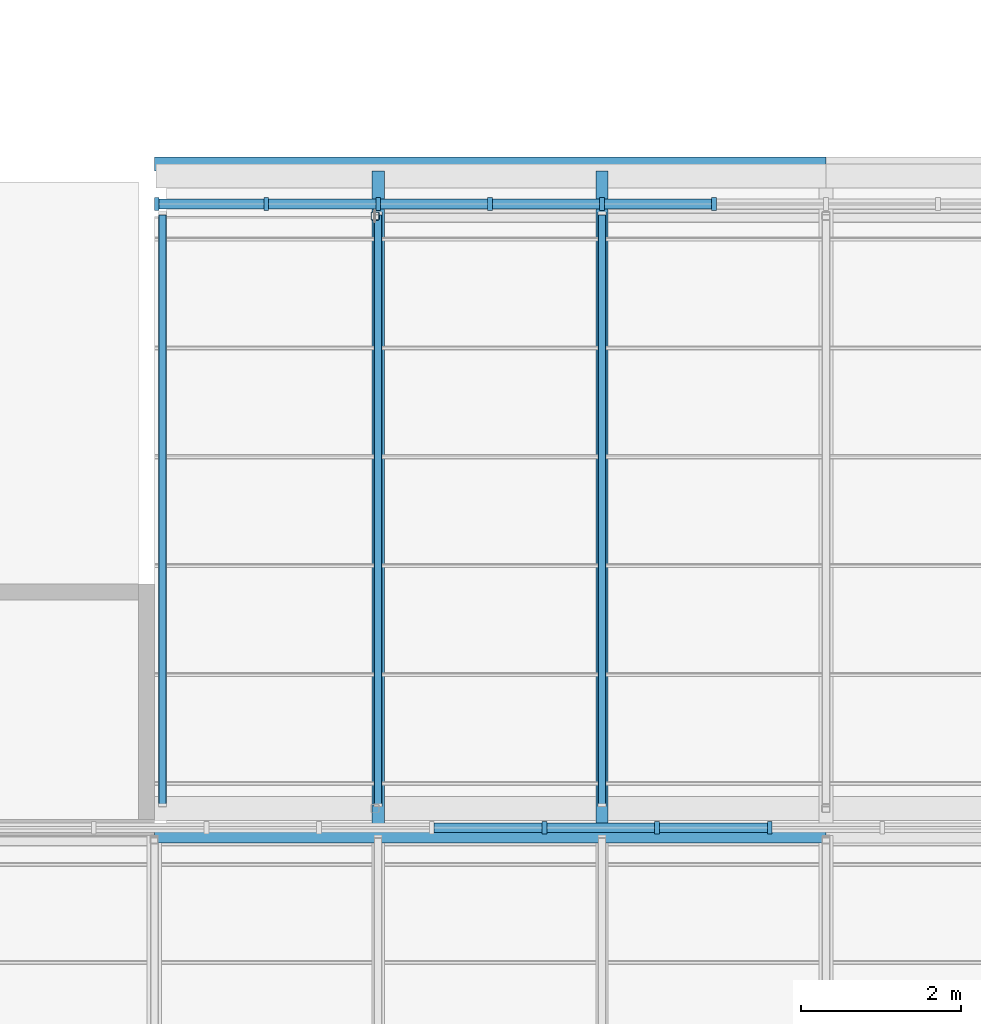
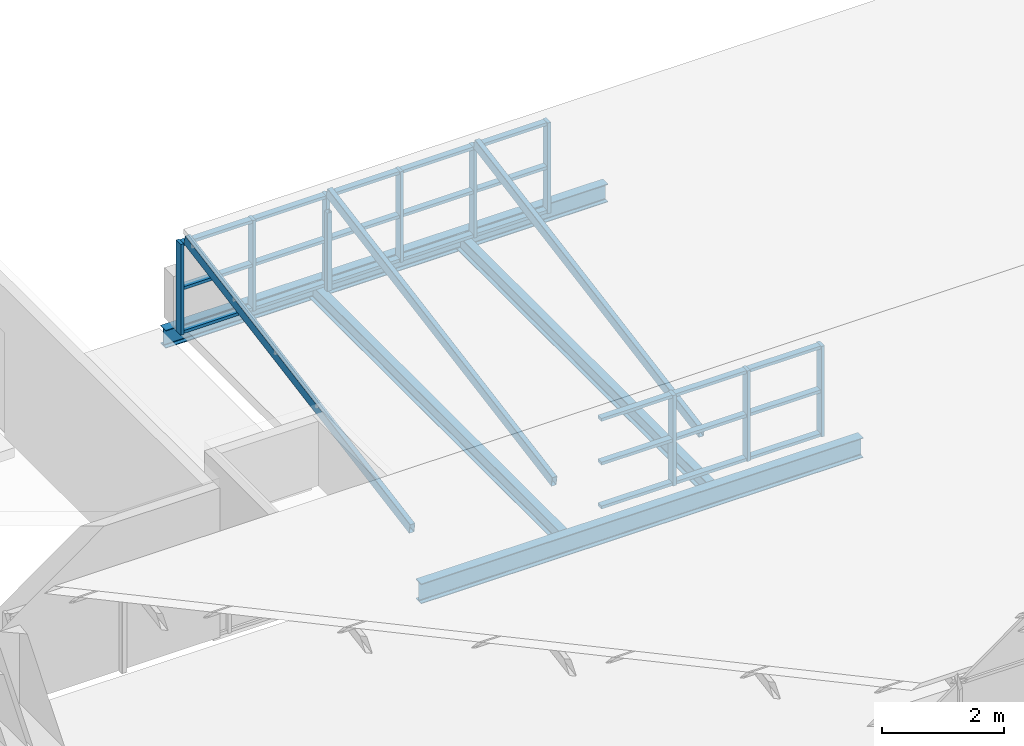
# One storey, part 9 of 42: 37 members, 4 beams, 2 elements without a shape of their own.
"""IFC4 building model written with IfcOpenShell, lengths in metres."""

import ifcopenshell
import ifcopenshell.guid

model = None  # the IFC model being written
_history = None  # IfcOwnerHistory: only IFC2X3 demands one
_inside = {}  # id of a spatial element -> (the spatial element, [elements in it])
_under = {}  # id of a project, library or spatial element -> (it, [spatial elements below it])
_declared = {}  # id of a project -> (the project, [libraries it declares])
_typed = {}  # id of a type object -> (the type object, [elements of that type])
_made_of = {}  # id of a material, layer set ... -> (it, [elements and type objects made of it])


def new_model(schema):
    """Start an empty IFC model of exactly this schema.

    Asked for "IFC4X3", IfcOpenShell would pick the latest addendum, in which some entities
    have other attributes; the version numbers below select the first issue.
    IFC2X3 requires an IfcOwnerHistory on every rooted entity: one is made here for all.
    """
    global model, _history
    if schema == "IFC4X3":
        model = ifcopenshell.file(schema_version=(4, 3, 0, 0))
    else:
        model = ifcopenshell.file(schema=schema)
    _inside.clear()
    _under.clear()
    _declared.clear()
    _typed.clear()
    _made_of.clear()
    _history = None
    if model.schema == "IFC2X3":
        org = make("IfcOrganization", Name="unknown")
        user = make(
            "IfcPersonAndOrganization",
            ThePerson=make("IfcPerson", FamilyName="unknown"),
            TheOrganization=org,
        )
        app = make(
            "IfcApplication",
            ApplicationDeveloper=org,
            Version="unknown",
            ApplicationFullName="unknown",
            ApplicationIdentifier="unknown",
        )
        _history = make(
            "IfcOwnerHistory",
            OwningUser=user,
            OwningApplication=app,
            ChangeAction="ADDED",
            CreationDate=0,
        )
    return model


def make(cls, **values):
    """One entity of the class cls with the attributes given. An attribute that is None is left unset."""
    return model.create_entity(
        cls, **{name: value for name, value in values.items() if value is not None}
    )


def rooted(cls, **values):
    """An entity with a GlobalId (a new one), such as an element, a storey or a relation."""
    return make(cls, GlobalId=ifcopenshell.guid.new(), OwnerHistory=_history, **values)


def si_unit(unit_type, name, prefix=None):
    """IfcSIUnit, for example si_unit("LENGTHUNIT", "METRE", prefix="MILLI")."""
    return make("IfcSIUnit", UnitType=unit_type, Prefix=prefix, Name=name)


def assignment(units):
    """IfcUnitAssignment: the units of a project."""
    return None if units is None else make("IfcUnitAssignment", Units=units)


def point(xyz):
    """IfcCartesianPoint."""
    return None if xyz is None else make("IfcCartesianPoint", Coordinates=xyz)


def direction(xyz):
    """IfcDirection."""
    return None if xyz is None else make("IfcDirection", DirectionRatios=xyz)


def frame(location, z_axis=None, x_axis=None):
    """IfcAxis2Placement3D, a coordinate frame: its origin and axes. An axis left out is left unset."""
    return make(
        "IfcAxis2Placement3D",
        Location=point(location),
        Axis=direction(z_axis),
        RefDirection=direction(x_axis),
    )


def frame_2d(location, x_axis=None):
    """IfcAxis2Placement2D, a coordinate frame in the plane: its origin and x axis."""
    return make(
        "IfcAxis2Placement2D", Location=point(location), RefDirection=direction(x_axis)
    )


def origin():
    """The frame at (0, 0, 0) with its axes left unset."""
    return frame((0.0, 0.0, 0.0))


def origin_2d():
    """The frame at (0, 0) in the plane with its x axis left unset."""
    return frame_2d((0.0, 0.0))


def place(relative_to, where):
    """IfcLocalPlacement: puts the frame where relative to a parent placement (None: the world)."""
    return make(
        "IfcLocalPlacement", PlacementRelTo=relative_to, RelativePlacement=where
    )


def context(
    kind, dimensions, precision=None, world=None, true_north=None, identifier=None
):
    """IfcGeometricRepresentationContext, for example the 3D "Model" context."""
    return make(
        "IfcGeometricRepresentationContext",
        ContextIdentifier=identifier,
        ContextType=kind,
        CoordinateSpaceDimension=dimensions,
        Precision=precision,
        WorldCoordinateSystem=world,
        TrueNorth=true_north,
    )


def subcontext(parent, identifier, kind, view, scale=None):
    """IfcGeometricRepresentationSubContext, for example "Body" below "Model"."""
    return make(
        "IfcGeometricRepresentationSubContext",
        ContextIdentifier=identifier,
        ContextType=kind,
        ParentContext=parent,
        TargetScale=scale,
        TargetView=view,
    )


def project(units=None, contexts=None):
    """IfcProject with its units and contexts."""
    return rooted(
        "IfcProject",
        Name="project",
        RepresentationContexts=contexts,
        UnitsInContext=assignment(units),
    )


def spatial(cls, under=None, at=None, **own):
    """A site, building, storey or space (cls), placed at a placement, below another one or the project."""
    s = rooted(cls, ObjectPlacement=at, **own)
    if under is not None:
        _under.setdefault(under.id(), (under, []))[1].append(s)
    return s


def profile(cls, at=None, kind="AREA", **sizes):
    """A parametric profile (cls). Its sizes go by their IFC names, for example OverallWidth=200.0."""
    return make(cls, ProfileType=kind, Position=at, **sizes)


def rectangle(**sizes):
    """IfcRectangleProfileDef."""
    return profile("IfcRectangleProfileDef", **sizes)


def hollow_rectangle(**sizes):
    """IfcRectangleHollowProfileDef."""
    return profile("IfcRectangleHollowProfileDef", **sizes)


def i_section(**sizes):
    """IfcIShapeProfileDef."""
    return profile("IfcIShapeProfileDef", **sizes)


def extrude(swept, where, along, depth):
    """IfcExtrudedAreaSolid: the profile swept, set in the frame where, extruded along a direction by depth."""
    return make(
        "IfcExtrudedAreaSolid",
        SweptArea=swept,
        Position=where,
        ExtrudedDirection=direction(along),
        Depth=depth,
    )


def shape(context_of_items, identifier, shape_type, items):
    """IfcShapeRepresentation: the items that make up one representation, for example the "Body"."""
    return make(
        "IfcShapeRepresentation",
        ContextOfItems=context_of_items,
        RepresentationIdentifier=identifier,
        RepresentationType=shape_type,
        Items=items,
    )


def material(Name=None, Category=None):
    """IfcMaterial."""
    return make("IfcMaterial", Name=Name, Category=Category)


def layer(
    of_material, thickness, ventilated=None, Name=None, Category=None, Priority=None
):
    """IfcMaterialLayer: one layer of a wall or slab, of a material (None: an air gap)."""
    return make(
        "IfcMaterialLayer",
        Material=of_material,
        LayerThickness=thickness,
        IsVentilated=ventilated,
        Name=Name,
        Category=Category,
        Priority=Priority,
    )


def layer_set(layers, Name=None):
    """IfcMaterialLayerSet."""
    return make("IfcMaterialLayerSet", MaterialLayers=layers, LayerSetName=Name)


def material_profile(
    of_material, cross_section, Name=None, Category=None, Priority=None
):
    """IfcMaterialProfile: a cross section and its material."""
    return make(
        "IfcMaterialProfile",
        Name=Name,
        Material=of_material,
        Profile=cross_section,
        Priority=Priority,
        Category=Category,
    )


def profile_set(profiles, Name=None, composite=None):
    """IfcMaterialProfileSet."""
    return make(
        "IfcMaterialProfileSet",
        Name=Name,
        MaterialProfiles=profiles,
        CompositeProfile=composite,
    )


def made_of(thing, what):
    """Note that an element or type object is made of a material, layer set ...; save() writes the relation."""
    if what is not None:
        _made_of.setdefault(what.id(), (what, []))[1].append(thing)
    return thing


def type_object(cls, material=None, **own):
    """A type object (cls), such as IfcWallType, which elements share."""
    return made_of(rooted(cls, **own), material)


def element(
    cls,
    number,
    at=None,
    inside=None,
    cuts=None,
    type_object=None,
    material=None,
    context=None,
    identifier="Body",
    shape_type=None,
    held_by="IfcProductDefinitionShape",
    body=None,
    shapes=None,
    **own,
):
    """One element of the class cls, such as IfcWall. Its Tag is "e" and its number.

    at: its placement. inside: the storey or other place that contains it. cuts: it is an
    opening in that element (IfcRelVoidsElement). A single representation is given by context,
    identifier, shape_type and body (its items); several are given by shapes. held_by: the class
    of the entity that holds the representations. save() writes the other relations.
    """
    e = rooted(cls, Tag="e%d" % number, ObjectPlacement=at, **own)
    if body is not None:
        shapes = [shape(context, identifier, shape_type, body)]
    if shapes is not None:
        e.Representation = make(held_by, Representations=shapes)
    if inside is not None:
        _inside.setdefault(inside.id(), (inside, []))[1].append(e)
    if cuts is not None:
        rooted(
            "IfcRelVoidsElement", RelatingBuildingElement=cuts, RelatedOpeningElement=e
        )
    if type_object is not None:
        _typed.setdefault(type_object.id(), (type_object, []))[1].append(e)
    return made_of(e, material)


def aggregate(whole, parts):
    """IfcRelAggregates: a whole, such as a stair, and the parts it consists of."""
    return rooted("IfcRelAggregates", RelatingObject=whole, RelatedObjects=parts)


def save(model, path):
    """Write the relations noted so far, then the file.

    IfcRelAggregates (storeys below a building ...), IfcRelContainedInSpatialStructure (elements
    in a storey), IfcRelDefinesByType, IfcRelAssociatesMaterial and IfcRelDeclares: one each for
    every whole, place, type object, material and project.
    """
    for whole, parts in _under.values():
        aggregate(whole, parts)
    for where, things in _inside.values():
        rooted(
            "IfcRelContainedInSpatialStructure",
            RelatedElements=things,
            RelatingStructure=where,
        )
    for kind, things in _typed.values():
        rooted("IfcRelDefinesByType", RelatedObjects=things, RelatingType=kind)
    for what, things in _made_of.values():
        rooted("IfcRelAssociatesMaterial", RelatedObjects=things, RelatingMaterial=what)
    for by, libraries in _declared.values():
        rooted("IfcRelDeclares", RelatingContext=by, RelatedDefinitions=libraries)
    model.write(path)


model = new_model("IFC4")

# Units and contexts
model_context = context("Model", 3, precision=1e-05, world=origin(), true_north=direction((0.0, 1.0)))
body_context = subcontext(model_context, "Body", "Model", "MODEL_VIEW")
ifc_project = project(units=[si_unit("LENGTHUNIT", "METRE"), si_unit("AREAUNIT", "SQUARE_METRE"), si_unit("VOLUMEUNIT", "CUBIC_METRE"), si_unit("PLANEANGLEUNIT", "RADIAN"), si_unit("MASSUNIT", "GRAM", prefix="KILO")], contexts=[model_context])

# Site, building, storey
site_placement = place(None, origin())
site = spatial("IfcSite", under=ifc_project, at=site_placement, CompositionType="ELEMENT")
building_placement = place(site_placement, origin())
building = spatial("IfcBuilding", under=site, at=building_placement, Name="Ardhachandra Cancer Care Centre", CompositionType="ELEMENT")
storey_placement = place(building_placement, frame((0.0, 0.0, 22.5)))
storey = spatial("IfcBuildingStorey", under=building, at=storey_placement, Name="L05", CompositionType="ELEMENT", Elevation=22.5)

# Beams
ifc_material_1 = material(Name="Steel E350 (IS 2062)", Category="steel")
ifc_material_profile_1 = material_profile(ifc_material_1, i_section(OverallWidth=0.152099609375, OverallDepth=0.303955078125, WebThickness=0.008056640625, FlangeThickness=0.0126953125, FilletRadius=0.014892578125, at=origin_2d()), Name="NPB 300x150x49.32")
ifc_profile_set_1 = profile_set([ifc_material_profile_1], Name="Steel E350 (IS 2062)")
beam_type_1 = type_object("IfcBeamType", Name="Beam NPB 300x150x49.32", PredefinedType="BEAM", material=ifc_profile_set_1)
for number, where, z_axis, x_axis, name in (
    (1, (22.0, 88.2900390625, -0.35205078125), (0.0, 1.0, 0.0), (-1.0, 0.0, 0.0), "Secondary K2-L2@2800"),
    (2, (24.800048828125, 88.2900390625, -0.35205078125), (0.0, 1.0, 0.0), (-1.0, 0.0, 0.0), "Secondary K2-L2@5600"),
):
    element("IfcBeam", number, at=place(storey_placement, frame(where, z_axis=z_axis, x_axis=x_axis)), inside=storey, type_object=beam_type_1, Name=name, PredefinedType="BEAM", context=body_context, shape_type="SweptSolid", body=[
        extrude(i_section(OverallWidth=0.152099609375, OverallDepth=0.303955078125, WebThickness=0.008056640625, FlangeThickness=0.0126953125, FilletRadius=0.014892578125, at=origin_2d()), origin(), (0.0, 0.0, 1.0), 8.223876953125),
    ])
ifc_material_2 = material(Name="Steel E350 (IS 2062)", Category="steel")
ifc_material_profile_2 = material_profile(ifc_material_2, i_section(OverallWidth=0.172119140625, OverallDepth=0.364013671875, WebThickness=0.00927734375, FlangeThickness=0.0146484375, FilletRadius=0.01806640625, at=origin_2d()), Name="NPB 350x170x66.04")
ifc_profile_set_2 = profile_set([ifc_material_profile_2], Name="Steel E350 (IS 2062)")
beam_type_2 = type_object("IfcBeamType", Name="Beam NPB 350x170x66.04", PredefinedType="BEAM", material=ifc_profile_set_2)
beam_1_placement = place(storey_placement, frame((19.199951171875, 96.60009765625, -0.382080078125), z_axis=(1.0, 0.0, 0.0), x_axis=(0.0, 1.0, 0.0)))
element("IfcBeam", 3, at=beam_1_placement, inside=storey, type_object=beam_type_2, Name="Edge girder L2-L3", PredefinedType="BEAM", context=body_context, shape_type="SweptSolid", body=[
    extrude(i_section(OverallWidth=0.172119140625, OverallDepth=0.364013671875, WebThickness=0.00927734375, FlangeThickness=0.0146484375, FilletRadius=0.01806640625, at=origin_2d()), origin(), (0.0, 0.0, 1.0), 8.400146484375),
])
ifc_material_3 = material(Name="Steel E350 (IS 2062)", Category="steel")
ifc_material_profile_3 = material_profile(ifc_material_3, i_section(OverallWidth=0.179931640625, OverallDepth=0.39990234375, WebThickness=0.008544921875, FlangeThickness=0.013427734375, FilletRadius=0.02099609375, at=origin_2d()), Name="NPB 400x180x66.30")
ifc_profile_set_3 = profile_set([ifc_material_profile_3], Name="Steel E350 (IS 2062)")
beam_type_3 = type_object("IfcBeamType", Name="Beam NPB 400x180x66.30", PredefinedType="BEAM", material=ifc_profile_set_3)
beam_2_placement = place(storey_placement, frame((19.199951171875, 88.199951171875, -0.39990234375), z_axis=(1.0, 0.0, 0.0), x_axis=(0.0, 1.0, 0.0)))
element("IfcBeam", 4, at=beam_2_placement, inside=storey, type_object=beam_type_3, Name="Girder K2-K3", PredefinedType="BEAM", context=body_context, shape_type="SweptSolid", body=[
    extrude(i_section(OverallWidth=0.179931640625, OverallDepth=0.39990234375, WebThickness=0.008544921875, FlangeThickness=0.013427734375, FilletRadius=0.02099609375, at=origin_2d()), origin(), (0.0, 0.0, 1.0), 8.400146484375),
])

# Curtain wall, members
ifc_material_4 = material(Name="Aluminium extrusion", Category="aluminium")
ifc_layer = layer(ifc_material_4, 0.14990234375)
ifc_layer_set = layer_set([ifc_layer], Name="Aluminium extrusion")
curtain_wall_type = type_object("IfcCurtainWallType", Name="Curtain wall run", PredefinedType="NOTDEFINED", material=ifc_layer_set)
curtain_wall_1_placement = place(storey_placement, origin())
curtain_wall_1 = element("IfcCurtainWall", 5, at=curtain_wall_1_placement, inside=storey, type_object=curtain_wall_type, Name="Curtain wall L05 n/0011400_0088300", PredefinedType="NOTDEFINED")
ifc_material_5 = material(Name="Aluminium extrusion", Category="aluminium")
ifc_material_profile_4 = material_profile(ifc_material_5, rectangle(XDim=0.159912109375, YDim=0.06005859375, at=origin_2d()), Name="Curtain wall mullion 60 x 160")
ifc_profile_set_4 = profile_set([ifc_material_profile_4], Name="Aluminium extrusion")
member_type_1 = type_object("IfcMemberType", Name="Curtain wall mullion 60 x 160", PredefinedType="MULLION", material=ifc_profile_set_4)
member_1_placement = place(storey_placement, frame((24.078369140625, 88.300048828125, 0.0), z_axis=(0.0, 0.0, 1.0), x_axis=(0.0, 1.0, 0.0)))
member_1 = element("IfcMember", 6, at=member_1_placement, type_object=member_type_1, Name="CW mullion 10", PredefinedType="MULLION", context=body_context, shape_type="SweptSolid", body=[
    extrude(rectangle(XDim=0.159912109375, YDim=0.06005859375, at=origin_2d()), origin(), (0.0, 0.0, 1.0), 1.820068359375),
])
member_2_placement = place(storey_placement, frame((25.487060546875, 88.300048828125, 0.0), z_axis=(0.0, 0.0, 1.0), x_axis=(0.0, 1.0, 0.0)))
member_2 = element("IfcMember", 7, at=member_2_placement, type_object=member_type_1, Name="CW mullion 11", PredefinedType="MULLION", context=body_context, shape_type="SweptSolid", body=[
    extrude(rectangle(XDim=0.159912109375, YDim=0.06005859375, at=origin_2d()), origin(), (0.0, 0.0, 1.0), 1.820068359375),
])
member_3_placement = place(storey_placement, frame((26.895751953125, 88.300048828125, 0.0), z_axis=(0.0, 0.0, 1.0), x_axis=(0.0, 1.0, 0.0)))
member_3 = element("IfcMember", 8, at=member_3_placement, type_object=member_type_1, Name="CW mullion 12", PredefinedType="MULLION", context=body_context, shape_type="SweptSolid", body=[
    extrude(rectangle(XDim=0.159912109375, YDim=0.06005859375, at=origin_2d()), origin(), (0.0, 0.0, 1.0), 1.820068359375),
])

curtain_wall_2_placement = place(storey_placement, origin())
curtain_wall_2 = element("IfcCurtainWall", 9, at=curtain_wall_2_placement, inside=storey, type_object=curtain_wall_type, Name="Curtain wall L05 n/0019200_0096100", PredefinedType="NOTDEFINED")
member_4_placement = place(storey_placement, frame((19.22998046875, 96.10009765625, 0.0), z_axis=(0.0, 0.0, 1.0), x_axis=(0.0, 1.0, 0.0)))
member_4 = element("IfcMember", 10, at=member_4_placement, type_object=member_type_1, Name="CW mullion 1", PredefinedType="MULLION", context=body_context, shape_type="SweptSolid", body=[
    extrude(rectangle(XDim=0.159912109375, YDim=0.06005859375, at=origin_2d()), origin(), (0.0, 0.0, 1.0), 1.820068359375),
])
member_5_placement = place(storey_placement, frame((20.60009765625, 96.10009765625, 0.0), z_axis=(0.0, 0.0, 1.0), x_axis=(0.0, 1.0, 0.0)))
member_5 = element("IfcMember", 11, at=member_5_placement, type_object=member_type_1, Name="CW mullion 2", PredefinedType="MULLION", context=body_context, shape_type="SweptSolid", body=[
    extrude(rectangle(XDim=0.159912109375, YDim=0.06005859375, at=origin_2d()), origin(), (0.0, 0.0, 1.0), 1.820068359375),
])
member_6_placement = place(storey_placement, frame((22.0, 96.10009765625, 0.0), z_axis=(0.0, 0.0, 1.0), x_axis=(0.0, 1.0, 0.0)))
member_6 = element("IfcMember", 12, at=member_6_placement, type_object=member_type_1, Name="CW mullion 3", PredefinedType="MULLION", context=body_context, shape_type="SweptSolid", body=[
    extrude(rectangle(XDim=0.159912109375, YDim=0.06005859375, at=origin_2d()), origin(), (0.0, 0.0, 1.0), 1.820068359375),
])
member_7_placement = place(storey_placement, frame((23.39990234375, 96.10009765625, 0.0), z_axis=(0.0, 0.0, 1.0), x_axis=(0.0, 1.0, 0.0)))
member_7 = element("IfcMember", 13, at=member_7_placement, type_object=member_type_1, Name="CW mullion 4", PredefinedType="MULLION", context=body_context, shape_type="SweptSolid", body=[
    extrude(rectangle(XDim=0.159912109375, YDim=0.06005859375, at=origin_2d()), origin(), (0.0, 0.0, 1.0), 1.820068359375),
])
member_8_placement = place(storey_placement, frame((24.800048828125, 96.10009765625, 0.0), z_axis=(0.0, 0.0, 1.0), x_axis=(0.0, 1.0, 0.0)))
member_8 = element("IfcMember", 14, at=member_8_placement, type_object=member_type_1, Name="CW mullion 5", PredefinedType="MULLION", context=body_context, shape_type="SweptSolid", body=[
    extrude(rectangle(XDim=0.159912109375, YDim=0.06005859375, at=origin_2d()), origin(), (0.0, 0.0, 1.0), 1.820068359375),
])
member_9_placement = place(storey_placement, frame((26.199951171875, 96.10009765625, 0.0), z_axis=(0.0, 0.0, 1.0), x_axis=(0.0, 1.0, 0.0)))
member_9 = element("IfcMember", 15, at=member_9_placement, type_object=member_type_1, Name="CW mullion 6", PredefinedType="MULLION", context=body_context, shape_type="SweptSolid", body=[
    extrude(rectangle(XDim=0.159912109375, YDim=0.06005859375, at=origin_2d()), origin(), (0.0, 0.0, 1.0), 1.820068359375),
])

# Member
ifc_material_6 = material(Name="Aluminium extrusion", Category="aluminium")
ifc_material_profile_5 = material_profile(ifc_material_6, rectangle(XDim=0.1201171875, YDim=0.06005859375, at=origin_2d()), Name="Curtain wall transom 60 x 120")
ifc_profile_set_5 = profile_set([ifc_material_profile_5], Name="Aluminium extrusion")
member_type_2 = type_object("IfcMemberType", Name="Curtain wall transom 60 x 120", PredefinedType="USERDEFINED", material=ifc_profile_set_5)
member_10_placement = place(storey_placement, frame((22.699462890625, 88.300048828125, 0.030029296875), z_axis=(1.0, 0.0, 0.0), x_axis=(0.0, 1.0, 0.0)))
member_10 = element("IfcMember", 16, at=member_10_placement, type_object=member_type_2, Name="CW transom 9.1", ObjectType="TRANSOM", PredefinedType="USERDEFINED", context=body_context, shape_type="SweptSolid", body=[
    extrude(rectangle(XDim=0.1201171875, YDim=0.06005859375, at=origin_2d()), origin(), (0.0, 0.0, 1.0), 1.348876953125),
])

member_11_placement = place(storey_placement, frame((22.699462890625, 88.300048828125, 0.909912109375), z_axis=(1.0, 0.0, 0.0), x_axis=(0.0, 1.0, 0.0)))
member_11 = element("IfcMember", 17, at=member_11_placement, type_object=member_type_2, Name="CW transom 9.2", ObjectType="TRANSOM", PredefinedType="USERDEFINED", context=body_context, shape_type="SweptSolid", body=[
    extrude(rectangle(XDim=0.1201171875, YDim=0.06005859375, at=origin_2d()), origin(), (0.0, 0.0, 1.0), 1.348876953125),
])

member_12_placement = place(storey_placement, frame((22.699462890625, 88.300048828125, 1.7900390625), z_axis=(1.0, 0.0, 0.0), x_axis=(0.0, 1.0, 0.0)))
member_12 = element("IfcMember", 18, at=member_12_placement, type_object=member_type_2, Name="CW transom 9.3", ObjectType="TRANSOM", PredefinedType="USERDEFINED", context=body_context, shape_type="SweptSolid", body=[
    extrude(rectangle(XDim=0.1201171875, YDim=0.06005859375, at=origin_2d()), origin(), (0.0, 0.0, 1.0), 1.348876953125),
])

member_13_placement = place(storey_placement, frame((24.108154296875, 88.300048828125, 0.030029296875), z_axis=(1.0, 0.0, 0.0), x_axis=(0.0, 1.0, 0.0)))
member_13 = element("IfcMember", 19, at=member_13_placement, type_object=member_type_2, Name="CW transom 10.1", ObjectType="TRANSOM", PredefinedType="USERDEFINED", context=body_context, shape_type="SweptSolid", body=[
    extrude(rectangle(XDim=0.1201171875, YDim=0.06005859375, at=origin_2d()), origin(), (0.0, 0.0, 1.0), 1.348876953125),
])

member_14_placement = place(storey_placement, frame((24.108154296875, 88.300048828125, 0.909912109375), z_axis=(1.0, 0.0, 0.0), x_axis=(0.0, 1.0, 0.0)))
member_14 = element("IfcMember", 20, at=member_14_placement, type_object=member_type_2, Name="CW transom 10.2", ObjectType="TRANSOM", PredefinedType="USERDEFINED", context=body_context, shape_type="SweptSolid", body=[
    extrude(rectangle(XDim=0.1201171875, YDim=0.06005859375, at=origin_2d()), origin(), (0.0, 0.0, 1.0), 1.348876953125),
])

member_15_placement = place(storey_placement, frame((24.108154296875, 88.300048828125, 1.7900390625), z_axis=(1.0, 0.0, 0.0), x_axis=(0.0, 1.0, 0.0)))
member_15 = element("IfcMember", 21, at=member_15_placement, type_object=member_type_2, Name="CW transom 10.3", ObjectType="TRANSOM", PredefinedType="USERDEFINED", context=body_context, shape_type="SweptSolid", body=[
    extrude(rectangle(XDim=0.1201171875, YDim=0.06005859375, at=origin_2d()), origin(), (0.0, 0.0, 1.0), 1.348876953125),
])

member_16_placement = place(storey_placement, frame((25.516845703125, 88.300048828125, 0.030029296875), z_axis=(1.0, 0.0, 0.0), x_axis=(0.0, 1.0, 0.0)))
member_16 = element("IfcMember", 22, at=member_16_placement, type_object=member_type_2, Name="CW transom 11.1", ObjectType="TRANSOM", PredefinedType="USERDEFINED", context=body_context, shape_type="SweptSolid", body=[
    extrude(rectangle(XDim=0.1201171875, YDim=0.06005859375, at=origin_2d()), origin(), (0.0, 0.0, 1.0), 1.348876953125),
])

member_17_placement = place(storey_placement, frame((25.516845703125, 88.300048828125, 0.909912109375), z_axis=(1.0, 0.0, 0.0), x_axis=(0.0, 1.0, 0.0)))
member_17 = element("IfcMember", 23, at=member_17_placement, type_object=member_type_2, Name="CW transom 11.2", ObjectType="TRANSOM", PredefinedType="USERDEFINED", context=body_context, shape_type="SweptSolid", body=[
    extrude(rectangle(XDim=0.1201171875, YDim=0.06005859375, at=origin_2d()), origin(), (0.0, 0.0, 1.0), 1.348876953125),
])

member_18_placement = place(storey_placement, frame((25.516845703125, 88.300048828125, 1.7900390625), z_axis=(1.0, 0.0, 0.0), x_axis=(0.0, 1.0, 0.0)))
member_18 = element("IfcMember", 24, at=member_18_placement, type_object=member_type_2, Name="CW transom 11.3", ObjectType="TRANSOM", PredefinedType="USERDEFINED", context=body_context, shape_type="SweptSolid", body=[
    extrude(rectangle(XDim=0.1201171875, YDim=0.06005859375, at=origin_2d()), origin(), (0.0, 0.0, 1.0), 1.348876953125),
])

aggregate(curtain_wall_1, [member_1, member_2, member_3, member_10, member_11, member_12, member_13, member_14, member_15, member_16, member_17, member_18])

member_19_placement = place(storey_placement, frame((19.260009765625, 96.10009765625, 0.030029296875), z_axis=(1.0, 0.0, 0.0), x_axis=(0.0, 1.0, 0.0)))
member_19 = element("IfcMember", 25, at=member_19_placement, type_object=member_type_2, Name="CW transom 1.1", ObjectType="TRANSOM", PredefinedType="USERDEFINED", context=body_context, shape_type="SweptSolid", body=[
    extrude(rectangle(XDim=0.1201171875, YDim=0.06005859375, at=origin_2d()), origin(), (0.0, 0.0, 1.0), 1.31005859375),
])

member_20_placement = place(storey_placement, frame((19.260009765625, 96.10009765625, 0.909912109375), z_axis=(1.0, 0.0, 0.0), x_axis=(0.0, 1.0, 0.0)))
member_20 = element("IfcMember", 26, at=member_20_placement, type_object=member_type_2, Name="CW transom 1.2", ObjectType="TRANSOM", PredefinedType="USERDEFINED", context=body_context, shape_type="SweptSolid", body=[
    extrude(rectangle(XDim=0.1201171875, YDim=0.06005859375, at=origin_2d()), origin(), (0.0, 0.0, 1.0), 1.31005859375),
])

member_21_placement = place(storey_placement, frame((19.260009765625, 96.10009765625, 1.7900390625), z_axis=(1.0, 0.0, 0.0), x_axis=(0.0, 1.0, 0.0)))
member_21 = element("IfcMember", 27, at=member_21_placement, type_object=member_type_2, Name="CW transom 1.3", ObjectType="TRANSOM", PredefinedType="USERDEFINED", context=body_context, shape_type="SweptSolid", body=[
    extrude(rectangle(XDim=0.1201171875, YDim=0.06005859375, at=origin_2d()), origin(), (0.0, 0.0, 1.0), 1.31005859375),
])

member_22_placement = place(storey_placement, frame((20.6298828125, 96.10009765625, 0.030029296875), z_axis=(1.0, 0.0, 0.0), x_axis=(0.0, 1.0, 0.0)))
member_22 = element("IfcMember", 28, at=member_22_placement, type_object=member_type_2, Name="CW transom 2.1", ObjectType="TRANSOM", PredefinedType="USERDEFINED", context=body_context, shape_type="SweptSolid", body=[
    extrude(rectangle(XDim=0.1201171875, YDim=0.06005859375, at=origin_2d()), origin(), (0.0, 0.0, 1.0), 1.340087890625),
])

member_23_placement = place(storey_placement, frame((20.6298828125, 96.10009765625, 0.909912109375), z_axis=(1.0, 0.0, 0.0), x_axis=(0.0, 1.0, 0.0)))
member_23 = element("IfcMember", 29, at=member_23_placement, type_object=member_type_2, Name="CW transom 2.2", ObjectType="TRANSOM", PredefinedType="USERDEFINED", context=body_context, shape_type="SweptSolid", body=[
    extrude(rectangle(XDim=0.1201171875, YDim=0.06005859375, at=origin_2d()), origin(), (0.0, 0.0, 1.0), 1.340087890625),
])

member_24_placement = place(storey_placement, frame((20.6298828125, 96.10009765625, 1.7900390625), z_axis=(1.0, 0.0, 0.0), x_axis=(0.0, 1.0, 0.0)))
member_24 = element("IfcMember", 30, at=member_24_placement, type_object=member_type_2, Name="CW transom 2.3", ObjectType="TRANSOM", PredefinedType="USERDEFINED", context=body_context, shape_type="SweptSolid", body=[
    extrude(rectangle(XDim=0.1201171875, YDim=0.06005859375, at=origin_2d()), origin(), (0.0, 0.0, 1.0), 1.340087890625),
])

member_25_placement = place(storey_placement, frame((22.030029296875, 96.10009765625, 0.030029296875), z_axis=(1.0, 0.0, 0.0), x_axis=(0.0, 1.0, 0.0)))
member_25 = element("IfcMember", 31, at=member_25_placement, type_object=member_type_2, Name="CW transom 3.1", ObjectType="TRANSOM", PredefinedType="USERDEFINED", context=body_context, shape_type="SweptSolid", body=[
    extrude(rectangle(XDim=0.1201171875, YDim=0.06005859375, at=origin_2d()), origin(), (0.0, 0.0, 1.0), 1.340087890625),
])

member_26_placement = place(storey_placement, frame((22.030029296875, 96.10009765625, 0.909912109375), z_axis=(1.0, 0.0, 0.0), x_axis=(0.0, 1.0, 0.0)))
member_26 = element("IfcMember", 32, at=member_26_placement, type_object=member_type_2, Name="CW transom 3.2", ObjectType="TRANSOM", PredefinedType="USERDEFINED", context=body_context, shape_type="SweptSolid", body=[
    extrude(rectangle(XDim=0.1201171875, YDim=0.06005859375, at=origin_2d()), origin(), (0.0, 0.0, 1.0), 1.340087890625),
])

member_27_placement = place(storey_placement, frame((22.030029296875, 96.10009765625, 1.7900390625), z_axis=(1.0, 0.0, 0.0), x_axis=(0.0, 1.0, 0.0)))
member_27 = element("IfcMember", 33, at=member_27_placement, type_object=member_type_2, Name="CW transom 3.3", ObjectType="TRANSOM", PredefinedType="USERDEFINED", context=body_context, shape_type="SweptSolid", body=[
    extrude(rectangle(XDim=0.1201171875, YDim=0.06005859375, at=origin_2d()), origin(), (0.0, 0.0, 1.0), 1.340087890625),
])

member_28_placement = place(storey_placement, frame((23.429931640625, 96.10009765625, 0.030029296875), z_axis=(1.0, 0.0, 0.0), x_axis=(0.0, 1.0, 0.0)))
member_28 = element("IfcMember", 34, at=member_28_placement, type_object=member_type_2, Name="CW transom 4.1", ObjectType="TRANSOM", PredefinedType="USERDEFINED", context=body_context, shape_type="SweptSolid", body=[
    extrude(rectangle(XDim=0.1201171875, YDim=0.06005859375, at=origin_2d()), origin(), (0.0, 0.0, 1.0), 1.340087890625),
])

member_29_placement = place(storey_placement, frame((23.429931640625, 96.10009765625, 0.909912109375), z_axis=(1.0, 0.0, 0.0), x_axis=(0.0, 1.0, 0.0)))
member_29 = element("IfcMember", 35, at=member_29_placement, type_object=member_type_2, Name="CW transom 4.2", ObjectType="TRANSOM", PredefinedType="USERDEFINED", context=body_context, shape_type="SweptSolid", body=[
    extrude(rectangle(XDim=0.1201171875, YDim=0.06005859375, at=origin_2d()), origin(), (0.0, 0.0, 1.0), 1.340087890625),
])

member_30_placement = place(storey_placement, frame((23.429931640625, 96.10009765625, 1.7900390625), z_axis=(1.0, 0.0, 0.0), x_axis=(0.0, 1.0, 0.0)))
member_30 = element("IfcMember", 36, at=member_30_placement, type_object=member_type_2, Name="CW transom 4.3", ObjectType="TRANSOM", PredefinedType="USERDEFINED", context=body_context, shape_type="SweptSolid", body=[
    extrude(rectangle(XDim=0.1201171875, YDim=0.06005859375, at=origin_2d()), origin(), (0.0, 0.0, 1.0), 1.340087890625),
])

member_31_placement = place(storey_placement, frame((24.830078125, 96.10009765625, 0.030029296875), z_axis=(1.0, 0.0, 0.0), x_axis=(0.0, 1.0, 0.0)))
member_31 = element("IfcMember", 37, at=member_31_placement, type_object=member_type_2, Name="CW transom 5.1", ObjectType="TRANSOM", PredefinedType="USERDEFINED", context=body_context, shape_type="SweptSolid", body=[
    extrude(rectangle(XDim=0.1201171875, YDim=0.06005859375, at=origin_2d()), origin(), (0.0, 0.0, 1.0), 1.33984375),
])

member_32_placement = place(storey_placement, frame((24.830078125, 96.10009765625, 0.909912109375), z_axis=(1.0, 0.0, 0.0), x_axis=(0.0, 1.0, 0.0)))
member_32 = element("IfcMember", 38, at=member_32_placement, type_object=member_type_2, Name="CW transom 5.2", ObjectType="TRANSOM", PredefinedType="USERDEFINED", context=body_context, shape_type="SweptSolid", body=[
    extrude(rectangle(XDim=0.1201171875, YDim=0.06005859375, at=origin_2d()), origin(), (0.0, 0.0, 1.0), 1.33984375),
])

member_33_placement = place(storey_placement, frame((24.830078125, 96.10009765625, 1.7900390625), z_axis=(1.0, 0.0, 0.0), x_axis=(0.0, 1.0, 0.0)))
member_33 = element("IfcMember", 39, at=member_33_placement, type_object=member_type_2, Name="CW transom 5.3", ObjectType="TRANSOM", PredefinedType="USERDEFINED", context=body_context, shape_type="SweptSolid", body=[
    extrude(rectangle(XDim=0.1201171875, YDim=0.06005859375, at=origin_2d()), origin(), (0.0, 0.0, 1.0), 1.33984375),
])

aggregate(curtain_wall_2, [member_4, member_5, member_6, member_7, member_8, member_9, member_19, member_20, member_21, member_22, member_23, member_24, member_25, member_26, member_27, member_28, member_29, member_30, member_31, member_32, member_33])

# Members
ifc_material_7 = material(Name="Steel E350 (IS 2062)", Category="steel")
ifc_material_profile_6 = material_profile(ifc_material_7, hollow_rectangle(XDim=0.10009765625, YDim=0.199951171875, WallThickness=0.006103515625, InnerFilletRadius=0.006103515625, OuterFilletRadius=0.011962890625, at=origin_2d()), Name="RHS 200x100x6.0")
ifc_profile_set_6 = profile_set([ifc_material_profile_6], Name="Steel E350 (IS 2062)")
member_type_3 = type_object("IfcMemberType", Name="Roof rafter RHS 200x100x6.0", PredefinedType="RAFTER", material=ifc_profile_set_6)
for number, where, z_axis, x_axis, name in (
    (40, (19.300048828125, 88.58251953125, 0.598388671875), (0.0, 0.984458474177, 0.175617517977), (-1.0, 0.0, 0.0), "Rafter NT3a.1"),
    (41, (22.0, 88.58251953125, 0.598388671875), (0.0, 0.984458474177, 0.175617517977), (-1.0, 0.0, 0.0), "Rafter NT3a.2"),
    (42, (24.800048828125, 88.58251953125, 0.598388671875), (0.0, 0.984458474177, 0.175617517977), (-1.0, 0.0, 0.0), "Rafter NT3a.3"),
):
    element("IfcMember", number, at=place(storey_placement, frame(where, z_axis=z_axis, x_axis=x_axis)), inside=storey, type_object=member_type_3, Name=name, PredefinedType="RAFTER", context=body_context, shape_type="SweptSolid", body=[
        extrude(hollow_rectangle(XDim=0.10009765625, YDim=0.199951171875, WallThickness=0.006103515625, InnerFilletRadius=0.006103515625, OuterFilletRadius=0.011962890625, at=origin_2d()), origin(), (0.0, 0.0, 1.0), 7.516845703125),
    ])
ifc_material_8 = material(Name="Steel E350 (IS 2062)", Category="steel")
ifc_material_profile_7 = material_profile(ifc_material_8, hollow_rectangle(XDim=0.10009765625, YDim=0.10009765625, WallThickness=0.0048828125, InnerFilletRadius=0.0048828125, OuterFilletRadius=0.010009765625, at=origin_2d()), Name="SHS 100x100x5.0")
ifc_profile_set_7 = profile_set([ifc_material_profile_7], Name="Steel E350 (IS 2062)")
member_type_4 = type_object("IfcMemberType", Name="Sawtooth ridge post SHS 100x100x5.0", PredefinedType="POST", material=ifc_profile_set_7)
member_34_placement = place(storey_placement, frame((21.9599609375, 95.949951171875, 0.0), z_axis=(0.0, 0.0, 1.0), x_axis=(1.0, 0.0, 0.0)))
element("IfcMember", 43, at=member_34_placement, inside=storey, type_object=member_type_4, Name="Ridge post NT3a.1", PredefinedType="POST", context=body_context, shape_type="SweptSolid", body=[
    extrude(hollow_rectangle(XDim=0.10009765625, YDim=0.10009765625, WallThickness=0.0048828125, InnerFilletRadius=0.0048828125, OuterFilletRadius=0.010009765625, at=origin_2d()), origin(), (0.0, 0.0, 1.0), 1.569091796875),
])

save(model, "model.ifc")
